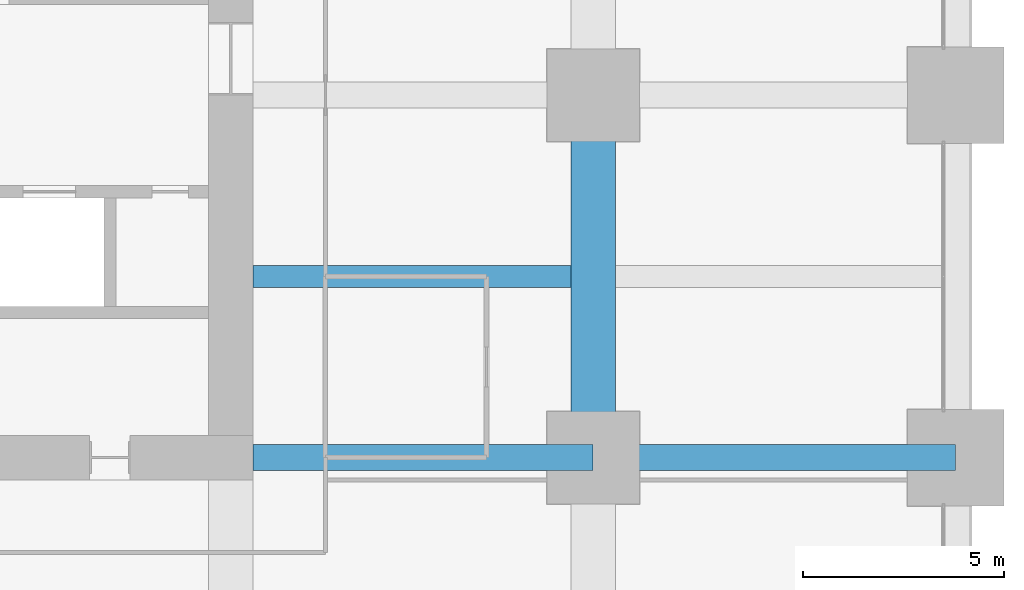
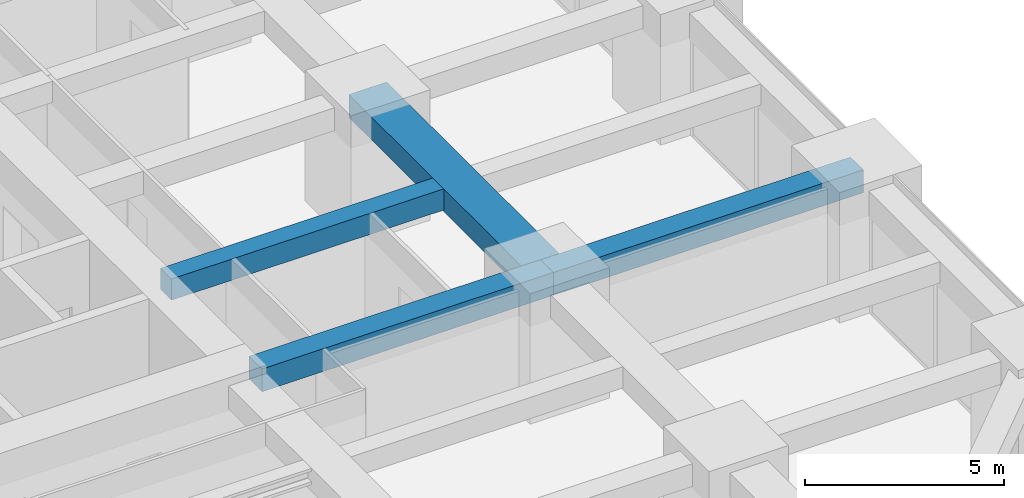
# One storey, part 19 of 44: 4 beams.
"""IFC4 building model written with IfcOpenShell, lengths in metres."""

from ifc_helpers import new_model, si_unit, direction, frame, origin, origin_2d, place, context, subcontext, project, spatial, rectangle, extrude, material, material_profile, profile_set, type_object, element, save


model = new_model("IFC4")

# Units and contexts
model_context = context("Model", 3, precision=1e-05, world=origin(), true_north=direction((0.0, 1.0)))
body_context = subcontext(model_context, "Body", "Model", "MODEL_VIEW")
ifc_project = project(units=[si_unit("LENGTHUNIT", "METRE"), si_unit("AREAUNIT", "SQUARE_METRE"), si_unit("VOLUMEUNIT", "CUBIC_METRE"), si_unit("PLANEANGLEUNIT", "RADIAN"), si_unit("MASSUNIT", "GRAM", prefix="KILO")], contexts=[model_context])

# Site, building, storey
site_placement = place(None, origin())
site = spatial("IfcSite", under=ifc_project, at=site_placement, CompositionType="ELEMENT")
building_placement = place(site_placement, origin())
building = spatial("IfcBuilding", under=site, at=building_placement, Name="Zorevar Civic Tower", CompositionType="ELEMENT")
storey_placement = place(building_placement, frame((0.0, 0.0, 43.800048828125)))
storey = spatial("IfcBuildingStorey", under=building, at=storey_placement, Name="L10", CompositionType="ELEMENT", Elevation=43.800048828125)

# Beams
ifc_material_1 = material(Name="Concrete C50/60", Category="concrete")
ifc_material_profile_1 = material_profile(ifc_material_1, rectangle(XDim=1.10009765625, YDim=0.699951171875, at=origin_2d()), Name="RC 1100x700")
ifc_profile_set_1 = profile_set([ifc_material_profile_1], Name="Concrete C50/60")
beam_type_1 = type_object("IfcBeamType", Name="Beam RC 1100x700", PredefinedType="BEAM", material=ifc_profile_set_1)
beam_1_placement = place(storey_placement, frame((54.0, 18.0, 3.39990234375), z_axis=(0.0, 1.0, 0.0), x_axis=(-1.0, 0.0, 0.0)))
element("IfcBeam", 1, at=beam_1_placement, inside=storey, type_object=beam_type_1, Name="Girder L11", PredefinedType="BEAM", context=body_context, shape_type="SweptSolid", body=[
    extrude(rectangle(XDim=1.10009765625, YDim=0.699951171875, at=origin_2d()), origin(), (0.0, 0.0, 1.0), 9.0),
])
ifc_material_2 = material(Name="Concrete C50/60", Category="concrete")
ifc_material_profile_2 = material_profile(ifc_material_2, rectangle(XDim=0.550048828125, YDim=0.64990234375, at=origin_2d()), Name="RC 550x650")
ifc_profile_set_2 = profile_set([ifc_material_profile_2], Name="Concrete C50/60")
beam_type_2 = type_object("IfcBeamType", Name="Beam RC 550x650", PredefinedType="BEAM", material=ifc_profile_set_2)
beam_2_placement = place(storey_placement, frame((45.550048828125, 22.5, 3.425048828125), z_axis=(1.0, 0.0, 0.0), x_axis=(0.0, 1.0, 0.0)))
element("IfcBeam", 2, at=beam_2_placement, inside=storey, type_object=beam_type_2, Name="Secondary beam L11", PredefinedType="BEAM", context=body_context, shape_type="SweptSolid", body=[
    extrude(rectangle(XDim=0.550048828125, YDim=0.64990234375, at=origin_2d()), origin(), (0.0, 0.0, 1.0), 7.89990234375),
])
ifc_material_3 = material(Name="Concrete C50/60", Category="concrete")
ifc_material_profile_3 = material_profile(ifc_material_3, rectangle(XDim=0.64990234375, YDim=0.699951171875, at=origin_2d()), Name="RC 650x700")
ifc_profile_set_3 = profile_set([ifc_material_profile_3], Name="Concrete C50/60")
beam_type_3 = type_object("IfcBeamType", Name="Beam RC 650x700", PredefinedType="BEAM", material=ifc_profile_set_3)
beam_3_placement = place(storey_placement, frame((45.550048828125, 18.0, 3.39990234375), z_axis=(1.0, 0.0, 0.0), x_axis=(0.0, 1.0, 0.0)))
element("IfcBeam", 3, at=beam_3_placement, inside=storey, type_object=beam_type_3, Name="Girder L11", PredefinedType="BEAM", context=body_context, shape_type="SweptSolid", body=[
    extrude(rectangle(XDim=0.64990234375, YDim=0.699951171875, at=origin_2d()), origin(), (0.0, 0.0, 1.0), 8.449951171875),
])
beam_4_placement = place(storey_placement, frame((54.0, 18.0, 3.39990234375), z_axis=(1.0, 0.0, 0.0), x_axis=(0.0, 1.0, 0.0)))
element("IfcBeam", 4, at=beam_4_placement, inside=storey, type_object=beam_type_3, Name="Girder L11", PredefinedType="BEAM", context=body_context, shape_type="SweptSolid", body=[
    extrude(rectangle(XDim=0.64990234375, YDim=0.699951171875, at=origin_2d()), origin(), (0.0, 0.0, 1.0), 9.0),
])

save(model, "model.ifc")
